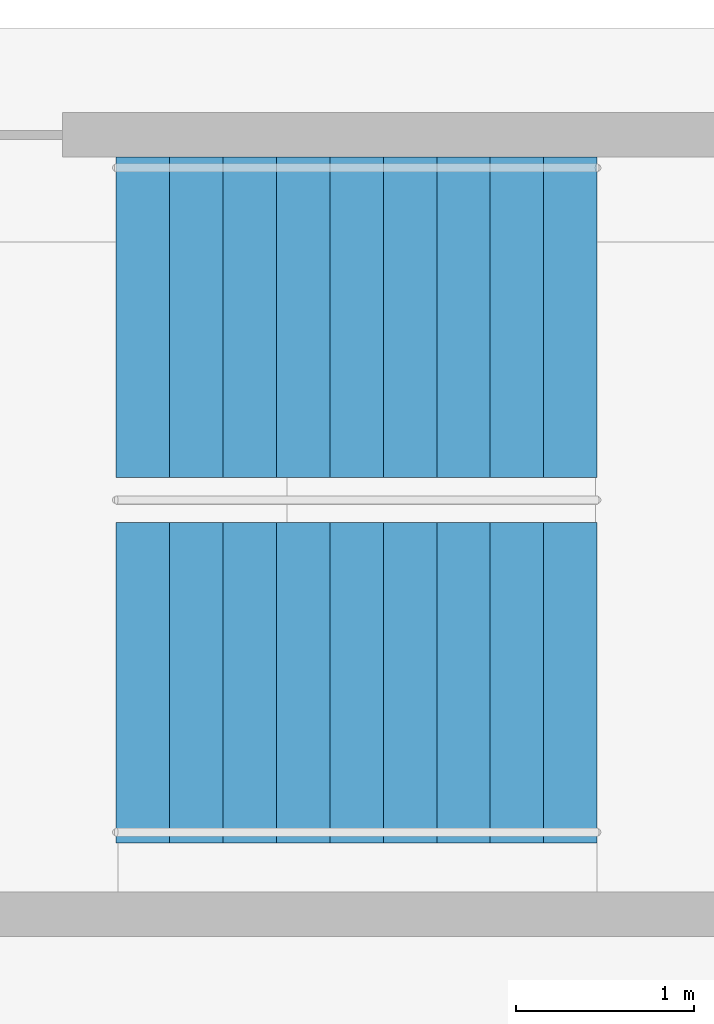
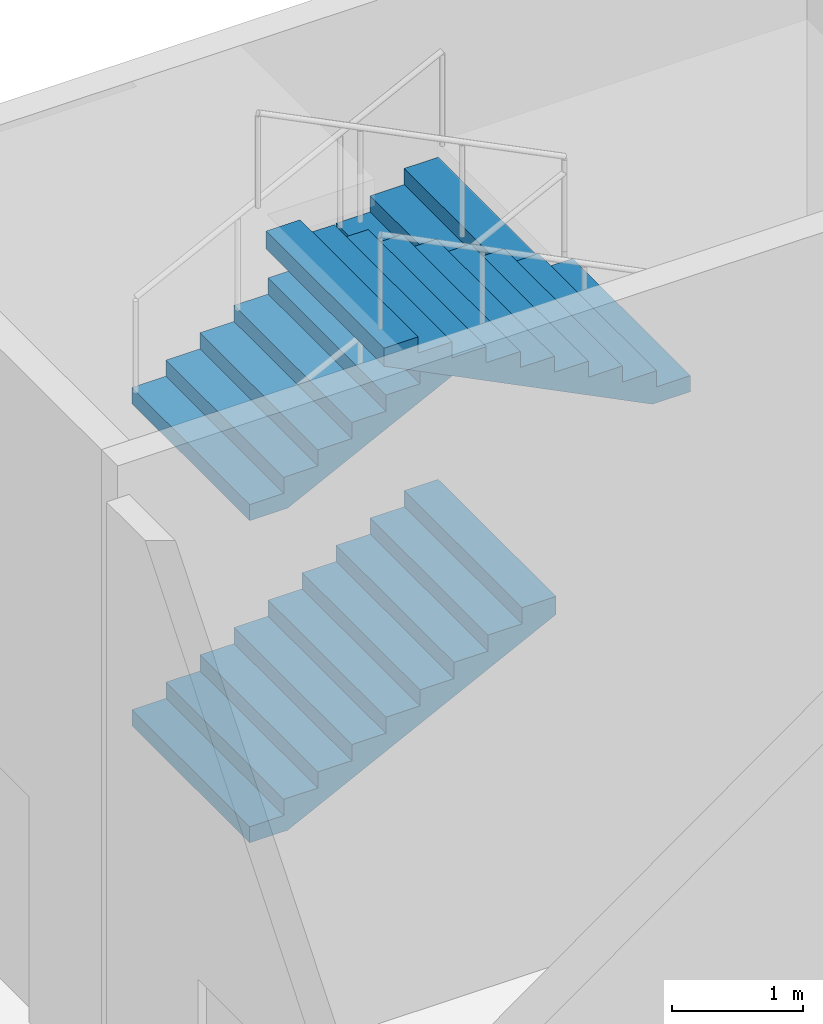
# One storey, part 76 of 86: 3 stair flights, 1 element without a shape of its own.
"""IFC4 building model written with IfcOpenShell, lengths in metres."""

from ifc_helpers import new_model, si_unit, direction, frame, origin, place, context, subcontext, project, spatial, faceted_brep, material, type_object, element, aggregate, save


model = new_model("IFC4")

# Units and contexts
model_context = context("Model", 3, precision=1e-05, world=origin(), true_north=direction((0.0, 1.0)))
body_context = subcontext(model_context, "Body", "Model", "MODEL_VIEW")
ifc_project = project(units=[si_unit("LENGTHUNIT", "METRE"), si_unit("AREAUNIT", "SQUARE_METRE"), si_unit("VOLUMEUNIT", "CUBIC_METRE"), si_unit("PLANEANGLEUNIT", "RADIAN"), si_unit("MASSUNIT", "GRAM", prefix="KILO")], contexts=[model_context])

# Site, building, storey
site_placement = place(None, origin())
site = spatial("IfcSite", under=ifc_project, at=site_placement, CompositionType="ELEMENT")
building_placement = place(site_placement, origin())
building = spatial("IfcBuilding", under=site, at=building_placement, Name="Guidao Yard Department Store", CompositionType="ELEMENT")
storey_placement = place(building_placement, origin())
storey = spatial("IfcBuildingStorey", under=building, at=storey_placement, Name="L00", CompositionType="ELEMENT", Elevation=0.0)

# Stair, stair flights
ifc_material_1 = material(Name="Concrete C35", Category="concrete")
stair_type = type_object("IfcStairType", Name="Stair double-return four-flight 1800 wide 6.0 m rise", PredefinedType="DOUBLE_RETURN_STAIR", material=ifc_material_1)
stair_placement = place(storey_placement, origin())
stair = element("IfcStair", 1, at=stair_placement, inside=storey, type_object=stair_type, Name="Stair F2 L00 to L01", PredefinedType="DOUBLE_RETURN_STAIR")
ifc_material_2 = material(Name="Concrete C35", Category="concrete")
stair_flight_type = type_object("IfcStairFlightType", Name="Stair flight RC straight 1800 wide 10 risers x 300 going C35", PredefinedType="STRAIGHT", material=ifc_material_2)
stair_flight_1_placement = place(storey_placement, frame((164.64990234375, 106.97509765625, 0.0), z_axis=(0.0, 0.0, 1.0), x_axis=(1.0, 0.0, 0.0)))
stair_flight_1 = element("IfcStairFlight", 2, at=stair_flight_1_placement, type_object=stair_flight_type, Name="SF2-L00 flight 1", NumberOfRisers=10, NumberOfTreads=9, PredefinedType="STRAIGHT", RiserHeight=0.15, TreadLength=0.3, context=body_context, shape_type="Brep", body=[
    faceted_brep([(0.0, 0.89990234375, 0.0), (0.0, 0.89990234375, 0.14990234375), (0.300048828125, 0.89990234375, 0.14990234375), (0.300048828125, 0.89990234375, 0.300048828125), (0.60009765625, 0.89990234375, 0.300048828125), (0.60009765625, 0.89990234375, 0.449951171875), (0.89990234375, 0.89990234375, 0.449951171875), (0.89990234375, 0.89990234375, 0.60009765625), (1.199951171875, 0.89990234375, 0.60009765625), (1.199951171875, 0.89990234375, 0.75), (1.5, 0.89990234375, 0.75), (1.5, 0.89990234375, 0.89990234375), (1.800048828125, 0.89990234375, 0.89990234375), (1.800048828125, 0.89990234375, 1.050048828125), (2.10009765625, 0.89990234375, 1.050048828125), (2.10009765625, 0.89990234375, 1.199951171875), (2.39990234375, 0.89990234375, 1.199951171875), (2.39990234375, 0.89990234375, 1.35009765625), (2.699951171875, 0.89990234375, 1.35009765625), (2.699951171875, 0.89990234375, 1.182373046875), (0.335205078125, 0.89990234375, 0.0), (0.335205078125, -0.89990234375, 0.0), (2.699951171875, -0.89990234375, 1.182373046875), (2.699951171875, -0.89990234375, 1.35009765625), (2.39990234375, -0.89990234375, 1.35009765625), (2.39990234375, -0.89990234375, 1.199951171875), (2.10009765625, -0.89990234375, 1.199951171875), (2.10009765625, -0.89990234375, 1.050048828125), (1.800048828125, -0.89990234375, 1.050048828125), (1.800048828125, -0.89990234375, 0.89990234375), (1.5, -0.89990234375, 0.89990234375), (1.5, -0.89990234375, 0.75), (1.199951171875, -0.89990234375, 0.75), (1.199951171875, -0.89990234375, 0.60009765625), (0.89990234375, -0.89990234375, 0.60009765625), (0.89990234375, -0.89990234375, 0.449951171875), (0.60009765625, -0.89990234375, 0.449951171875), (0.60009765625, -0.89990234375, 0.300048828125), (0.300048828125, -0.89990234375, 0.300048828125), (0.300048828125, -0.89990234375, 0.14990234375), (0.0, -0.89990234375, 0.14990234375), (0.0, -0.89990234375, 0.0), (0.0, 0.300048828125, 0.0), (0.0, 0.300048828125, 0.14990234375), (0.0, -0.300048828125, 0.0), (0.0, -0.300048828125, 0.14990234375), (0.300048828125, 0.300048828125, 0.14990234375), (0.300048828125, -0.300048828125, 0.14990234375), (0.300048828125, 0.300048828125, 0.300048828125), (0.300048828125, -0.300048828125, 0.300048828125), (0.60009765625, 0.300048828125, 0.300048828125), (0.60009765625, -0.300048828125, 0.300048828125), (0.60009765625, 0.300048828125, 0.449951171875), (0.60009765625, -0.300048828125, 0.449951171875), (0.89990234375, 0.300048828125, 0.449951171875), (0.89990234375, -0.300048828125, 0.449951171875), (0.89990234375, 0.300048828125, 0.60009765625), (0.89990234375, -0.300048828125, 0.60009765625), (1.199951171875, 0.300048828125, 0.60009765625), (1.199951171875, -0.300048828125, 0.60009765625), (1.199951171875, 0.300048828125, 0.75), (1.199951171875, -0.300048828125, 0.75), (1.5, 0.300048828125, 0.75), (1.5, -0.300048828125, 0.75), (1.5, 0.300048828125, 0.89990234375), (1.5, -0.300048828125, 0.89990234375), (1.800048828125, 0.300048828125, 0.89990234375), (1.800048828125, -0.300048828125, 0.89990234375), (1.800048828125, 0.300048828125, 1.050048828125), (1.800048828125, -0.300048828125, 1.050048828125), (2.10009765625, 0.300048828125, 1.050048828125), (2.10009765625, -0.300048828125, 1.050048828125), (2.10009765625, 0.300048828125, 1.199951171875), (2.10009765625, -0.300048828125, 1.199951171875), (2.39990234375, 0.300048828125, 1.199951171875), (2.39990234375, -0.300048828125, 1.199951171875), (2.39990234375, 0.300048828125, 1.35009765625), (2.39990234375, -0.300048828125, 1.35009765625), (2.699951171875, 0.300048828125, 1.35009765625), (2.699951171875, -0.300048828125, 1.35009765625), (2.699951171875, 0.300048828125, 1.182373046875), (2.699951171875, -0.300048828125, 1.182373046875), (0.335205078125, 0.300048828125, 0.0), (0.335205078125, -0.300048828125, 0.0)], [[[0, 1, 2, 3, 4, 5, 6, 7, 8, 9, 10, 11, 12, 13, 14, 15, 16, 17, 18, 19, 20]], [[21, 22, 23, 24, 25, 26, 27, 28, 29, 30, 31, 32, 33, 34, 35, 36, 37, 38, 39, 40, 41]], [[42, 43, 1, 0]], [[44, 45, 43, 42]], [[41, 40, 45, 44]], [[43, 46, 2, 1]], [[45, 47, 46, 43]], [[40, 39, 47, 45]], [[46, 48, 3, 2]], [[47, 49, 48, 46]], [[39, 38, 49, 47]], [[48, 50, 4, 3]], [[49, 51, 50, 48]], [[38, 37, 51, 49]], [[50, 52, 5, 4]], [[51, 53, 52, 50]], [[37, 36, 53, 51]], [[52, 54, 6, 5]], [[53, 55, 54, 52]], [[36, 35, 55, 53]], [[54, 56, 7, 6]], [[55, 57, 56, 54]], [[35, 34, 57, 55]], [[56, 58, 8, 7]], [[57, 59, 58, 56]], [[34, 33, 59, 57]], [[58, 60, 9, 8]], [[59, 61, 60, 58]], [[33, 32, 61, 59]], [[60, 62, 10, 9]], [[61, 63, 62, 60]], [[32, 31, 63, 61]], [[62, 64, 11, 10]], [[63, 65, 64, 62]], [[31, 30, 65, 63]], [[64, 66, 12, 11]], [[65, 67, 66, 64]], [[30, 29, 67, 65]], [[66, 68, 13, 12]], [[67, 69, 68, 66]], [[29, 28, 69, 67]], [[68, 70, 14, 13]], [[69, 71, 70, 68]], [[28, 27, 71, 69]], [[70, 72, 15, 14]], [[71, 73, 72, 70]], [[27, 26, 73, 71]], [[72, 74, 16, 15]], [[73, 75, 74, 72]], [[26, 25, 75, 73]], [[74, 76, 17, 16]], [[75, 77, 76, 74]], [[25, 24, 77, 75]], [[76, 78, 18, 17]], [[77, 79, 78, 76]], [[24, 23, 79, 77]], [[78, 80, 19, 18]], [[79, 81, 80, 78]], [[23, 22, 81, 79]], [[80, 82, 20, 19]], [[81, 83, 82, 80]], [[22, 21, 83, 81]], [[82, 42, 0, 20]], [[83, 44, 42, 82]], [[21, 41, 44, 83]]]),
])
stair_flight_2_placement = place(storey_placement, frame((164.64990234375, 106.97509765625, 3.0), z_axis=(0.0, 0.0, 1.0), x_axis=(1.0, 0.0, 0.0)))
stair_flight_2 = element("IfcStairFlight", 3, at=stair_flight_2_placement, type_object=stair_flight_type, Name="SF2-L00 flight 3", NumberOfRisers=10, NumberOfTreads=9, PredefinedType="STRAIGHT", RiserHeight=0.15, TreadLength=0.3, context=body_context, shape_type="Brep", body=[
    faceted_brep([(0.0, 0.89990234375, 0.0), (0.0, 0.89990234375, 0.14990234375), (0.300048828125, 0.89990234375, 0.14990234375), (0.300048828125, 0.89990234375, 0.300048828125), (0.60009765625, 0.89990234375, 0.300048828125), (0.60009765625, 0.89990234375, 0.449951171875), (0.89990234375, 0.89990234375, 0.449951171875), (0.89990234375, 0.89990234375, 0.60009765625), (1.199951171875, 0.89990234375, 0.60009765625), (1.199951171875, 0.89990234375, 0.75), (1.5, 0.89990234375, 0.75), (1.5, 0.89990234375, 0.89990234375), (1.800048828125, 0.89990234375, 0.89990234375), (1.800048828125, 0.89990234375, 1.050048828125), (2.10009765625, 0.89990234375, 1.050048828125), (2.10009765625, 0.89990234375, 1.199951171875), (2.39990234375, 0.89990234375, 1.199951171875), (2.39990234375, 0.89990234375, 1.35009765625), (2.699951171875, 0.89990234375, 1.35009765625), (2.699951171875, 0.89990234375, 1.182373046875), (0.335205078125, 0.89990234375, 0.0), (0.335205078125, -0.89990234375, 0.0), (2.699951171875, -0.89990234375, 1.182373046875), (2.699951171875, -0.89990234375, 1.35009765625), (2.39990234375, -0.89990234375, 1.35009765625), (2.39990234375, -0.89990234375, 1.199951171875), (2.10009765625, -0.89990234375, 1.199951171875), (2.10009765625, -0.89990234375, 1.050048828125), (1.800048828125, -0.89990234375, 1.050048828125), (1.800048828125, -0.89990234375, 0.89990234375), (1.5, -0.89990234375, 0.89990234375), (1.5, -0.89990234375, 0.75), (1.199951171875, -0.89990234375, 0.75), (1.199951171875, -0.89990234375, 0.60009765625), (0.89990234375, -0.89990234375, 0.60009765625), (0.89990234375, -0.89990234375, 0.449951171875), (0.60009765625, -0.89990234375, 0.449951171875), (0.60009765625, -0.89990234375, 0.300048828125), (0.300048828125, -0.89990234375, 0.300048828125), (0.300048828125, -0.89990234375, 0.14990234375), (0.0, -0.89990234375, 0.14990234375), (0.0, -0.89990234375, 0.0), (0.0, 0.300048828125, 0.0), (0.0, 0.300048828125, 0.14990234375), (0.0, -0.300048828125, 0.0), (0.0, -0.300048828125, 0.14990234375), (0.300048828125, 0.300048828125, 0.14990234375), (0.300048828125, -0.300048828125, 0.14990234375), (0.300048828125, 0.300048828125, 0.300048828125), (0.300048828125, -0.300048828125, 0.300048828125), (0.60009765625, 0.300048828125, 0.300048828125), (0.60009765625, -0.300048828125, 0.300048828125), (0.60009765625, 0.300048828125, 0.449951171875), (0.60009765625, -0.300048828125, 0.449951171875), (0.89990234375, 0.300048828125, 0.449951171875), (0.89990234375, -0.300048828125, 0.449951171875), (0.89990234375, 0.300048828125, 0.60009765625), (0.89990234375, -0.300048828125, 0.60009765625), (1.199951171875, 0.300048828125, 0.60009765625), (1.199951171875, -0.300048828125, 0.60009765625), (1.199951171875, 0.300048828125, 0.75), (1.199951171875, -0.300048828125, 0.75), (1.5, 0.300048828125, 0.75), (1.5, -0.300048828125, 0.75), (1.5, 0.300048828125, 0.89990234375), (1.5, -0.300048828125, 0.89990234375), (1.800048828125, 0.300048828125, 0.89990234375), (1.800048828125, -0.300048828125, 0.89990234375), (1.800048828125, 0.300048828125, 1.050048828125), (1.800048828125, -0.300048828125, 1.050048828125), (2.10009765625, 0.300048828125, 1.050048828125), (2.10009765625, -0.300048828125, 1.050048828125), (2.10009765625, 0.300048828125, 1.199951171875), (2.10009765625, -0.300048828125, 1.199951171875), (2.39990234375, 0.300048828125, 1.199951171875), (2.39990234375, -0.300048828125, 1.199951171875), (2.39990234375, 0.300048828125, 1.35009765625), (2.39990234375, -0.300048828125, 1.35009765625), (2.699951171875, 0.300048828125, 1.35009765625), (2.699951171875, -0.300048828125, 1.35009765625), (2.699951171875, 0.300048828125, 1.182373046875), (2.699951171875, -0.300048828125, 1.182373046875), (0.335205078125, 0.300048828125, 0.0), (0.335205078125, -0.300048828125, 0.0)], [[[0, 1, 2, 3, 4, 5, 6, 7, 8, 9, 10, 11, 12, 13, 14, 15, 16, 17, 18, 19, 20]], [[21, 22, 23, 24, 25, 26, 27, 28, 29, 30, 31, 32, 33, 34, 35, 36, 37, 38, 39, 40, 41]], [[42, 43, 1, 0]], [[44, 45, 43, 42]], [[41, 40, 45, 44]], [[43, 46, 2, 1]], [[45, 47, 46, 43]], [[40, 39, 47, 45]], [[46, 48, 3, 2]], [[47, 49, 48, 46]], [[39, 38, 49, 47]], [[48, 50, 4, 3]], [[49, 51, 50, 48]], [[38, 37, 51, 49]], [[50, 52, 5, 4]], [[51, 53, 52, 50]], [[37, 36, 53, 51]], [[52, 54, 6, 5]], [[53, 55, 54, 52]], [[36, 35, 55, 53]], [[54, 56, 7, 6]], [[55, 57, 56, 54]], [[35, 34, 57, 55]], [[56, 58, 8, 7]], [[57, 59, 58, 56]], [[34, 33, 59, 57]], [[58, 60, 9, 8]], [[59, 61, 60, 58]], [[33, 32, 61, 59]], [[60, 62, 10, 9]], [[61, 63, 62, 60]], [[32, 31, 63, 61]], [[62, 64, 11, 10]], [[63, 65, 64, 62]], [[31, 30, 65, 63]], [[64, 66, 12, 11]], [[65, 67, 66, 64]], [[30, 29, 67, 65]], [[66, 68, 13, 12]], [[67, 69, 68, 66]], [[29, 28, 69, 67]], [[68, 70, 14, 13]], [[69, 71, 70, 68]], [[28, 27, 71, 69]], [[70, 72, 15, 14]], [[71, 73, 72, 70]], [[27, 26, 73, 71]], [[72, 74, 16, 15]], [[73, 75, 74, 72]], [[26, 25, 75, 73]], [[74, 76, 17, 16]], [[75, 77, 76, 74]], [[25, 24, 77, 75]], [[76, 78, 18, 17]], [[77, 79, 78, 76]], [[24, 23, 79, 77]], [[78, 80, 19, 18]], [[79, 81, 80, 78]], [[23, 22, 81, 79]], [[80, 82, 20, 19]], [[81, 83, 82, 80]], [[22, 21, 83, 81]], [[82, 42, 0, 20]], [[83, 44, 42, 82]], [[21, 41, 44, 83]]]),
])
stair_flight_3_placement = place(storey_placement, frame((167.35009765625, 104.925048828125, 4.5), z_axis=(0.0, 0.0, 1.0), x_axis=(-1.0, 0.0, 0.0)))
stair_flight_3 = element("IfcStairFlight", 4, at=stair_flight_3_placement, type_object=stair_flight_type, Name="SF2-L00 flight 4", NumberOfRisers=10, NumberOfTreads=9, PredefinedType="STRAIGHT", RiserHeight=0.15, TreadLength=0.3, context=body_context, shape_type="Brep", body=[
    faceted_brep([(0.0, 0.89990234375, 0.0), (0.0, 0.89990234375, 0.14990234375), (0.300048828125, 0.89990234375, 0.14990234375), (0.300048828125, 0.89990234375, 0.300048828125), (0.60009765625, 0.89990234375, 0.300048828125), (0.60009765625, 0.89990234375, 0.449951171875), (0.89990234375, 0.89990234375, 0.449951171875), (0.89990234375, 0.89990234375, 0.60009765625), (1.199951171875, 0.89990234375, 0.60009765625), (1.199951171875, 0.89990234375, 0.75), (1.5, 0.89990234375, 0.75), (1.5, 0.89990234375, 0.89990234375), (1.800048828125, 0.89990234375, 0.89990234375), (1.800048828125, 0.89990234375, 1.050048828125), (2.10009765625, 0.89990234375, 1.050048828125), (2.10009765625, 0.89990234375, 1.199951171875), (2.39990234375, 0.89990234375, 1.199951171875), (2.39990234375, 0.89990234375, 1.35009765625), (2.699951171875, 0.89990234375, 1.35009765625), (2.699951171875, 0.89990234375, 1.182373046875), (0.335205078125, 0.89990234375, 0.0), (0.335205078125, -0.89990234375, 0.0), (2.699951171875, -0.89990234375, 1.182373046875), (2.699951171875, -0.89990234375, 1.35009765625), (2.39990234375, -0.89990234375, 1.35009765625), (2.39990234375, -0.89990234375, 1.199951171875), (2.10009765625, -0.89990234375, 1.199951171875), (2.10009765625, -0.89990234375, 1.050048828125), (1.800048828125, -0.89990234375, 1.050048828125), (1.800048828125, -0.89990234375, 0.89990234375), (1.5, -0.89990234375, 0.89990234375), (1.5, -0.89990234375, 0.75), (1.199951171875, -0.89990234375, 0.75), (1.199951171875, -0.89990234375, 0.60009765625), (0.89990234375, -0.89990234375, 0.60009765625), (0.89990234375, -0.89990234375, 0.449951171875), (0.60009765625, -0.89990234375, 0.449951171875), (0.60009765625, -0.89990234375, 0.300048828125), (0.300048828125, -0.89990234375, 0.300048828125), (0.300048828125, -0.89990234375, 0.14990234375), (0.0, -0.89990234375, 0.14990234375), (0.0, -0.89990234375, 0.0), (0.0, 0.300048828125, 0.0), (0.0, 0.300048828125, 0.14990234375), (0.0, -0.300048828125, 0.0), (0.0, -0.300048828125, 0.14990234375), (0.300048828125, 0.300048828125, 0.14990234375), (0.300048828125, -0.300048828125, 0.14990234375), (0.300048828125, 0.300048828125, 0.300048828125), (0.300048828125, -0.300048828125, 0.300048828125), (0.60009765625, 0.300048828125, 0.300048828125), (0.60009765625, -0.300048828125, 0.300048828125), (0.60009765625, 0.300048828125, 0.449951171875), (0.60009765625, -0.300048828125, 0.449951171875), (0.89990234375, 0.300048828125, 0.449951171875), (0.89990234375, -0.300048828125, 0.449951171875), (0.89990234375, 0.300048828125, 0.60009765625), (0.89990234375, -0.300048828125, 0.60009765625), (1.199951171875, 0.300048828125, 0.60009765625), (1.199951171875, -0.300048828125, 0.60009765625), (1.199951171875, 0.300048828125, 0.75), (1.199951171875, -0.300048828125, 0.75), (1.5, 0.300048828125, 0.75), (1.5, -0.300048828125, 0.75), (1.5, 0.300048828125, 0.89990234375), (1.5, -0.300048828125, 0.89990234375), (1.800048828125, 0.300048828125, 0.89990234375), (1.800048828125, -0.300048828125, 0.89990234375), (1.800048828125, 0.300048828125, 1.050048828125), (1.800048828125, -0.300048828125, 1.050048828125), (2.10009765625, 0.300048828125, 1.050048828125), (2.10009765625, -0.300048828125, 1.050048828125), (2.10009765625, 0.300048828125, 1.199951171875), (2.10009765625, -0.300048828125, 1.199951171875), (2.39990234375, 0.300048828125, 1.199951171875), (2.39990234375, -0.300048828125, 1.199951171875), (2.39990234375, 0.300048828125, 1.35009765625), (2.39990234375, -0.300048828125, 1.35009765625), (2.699951171875, 0.300048828125, 1.35009765625), (2.699951171875, -0.300048828125, 1.35009765625), (2.699951171875, 0.300048828125, 1.182373046875), (2.699951171875, -0.300048828125, 1.182373046875), (0.335205078125, 0.300048828125, 0.0), (0.335205078125, -0.300048828125, 0.0)], [[[0, 1, 2, 3, 4, 5, 6, 7, 8, 9, 10, 11, 12, 13, 14, 15, 16, 17, 18, 19, 20]], [[21, 22, 23, 24, 25, 26, 27, 28, 29, 30, 31, 32, 33, 34, 35, 36, 37, 38, 39, 40, 41]], [[42, 43, 1, 0]], [[44, 45, 43, 42]], [[41, 40, 45, 44]], [[43, 46, 2, 1]], [[45, 47, 46, 43]], [[40, 39, 47, 45]], [[46, 48, 3, 2]], [[47, 49, 48, 46]], [[39, 38, 49, 47]], [[48, 50, 4, 3]], [[49, 51, 50, 48]], [[38, 37, 51, 49]], [[50, 52, 5, 4]], [[51, 53, 52, 50]], [[37, 36, 53, 51]], [[52, 54, 6, 5]], [[53, 55, 54, 52]], [[36, 35, 55, 53]], [[54, 56, 7, 6]], [[55, 57, 56, 54]], [[35, 34, 57, 55]], [[56, 58, 8, 7]], [[57, 59, 58, 56]], [[34, 33, 59, 57]], [[58, 60, 9, 8]], [[59, 61, 60, 58]], [[33, 32, 61, 59]], [[60, 62, 10, 9]], [[61, 63, 62, 60]], [[32, 31, 63, 61]], [[62, 64, 11, 10]], [[63, 65, 64, 62]], [[31, 30, 65, 63]], [[64, 66, 12, 11]], [[65, 67, 66, 64]], [[30, 29, 67, 65]], [[66, 68, 13, 12]], [[67, 69, 68, 66]], [[29, 28, 69, 67]], [[68, 70, 14, 13]], [[69, 71, 70, 68]], [[28, 27, 71, 69]], [[70, 72, 15, 14]], [[71, 73, 72, 70]], [[27, 26, 73, 71]], [[72, 74, 16, 15]], [[73, 75, 74, 72]], [[26, 25, 75, 73]], [[74, 76, 17, 16]], [[75, 77, 76, 74]], [[25, 24, 77, 75]], [[76, 78, 18, 17]], [[77, 79, 78, 76]], [[24, 23, 79, 77]], [[78, 80, 19, 18]], [[79, 81, 80, 78]], [[23, 22, 81, 79]], [[80, 82, 20, 19]], [[81, 83, 82, 80]], [[22, 21, 83, 81]], [[82, 42, 0, 20]], [[83, 44, 42, 82]], [[21, 41, 44, 83]]]),
])
aggregate(stair, [stair_flight_1, stair_flight_2, stair_flight_3])

save(model, "model.ifc")
